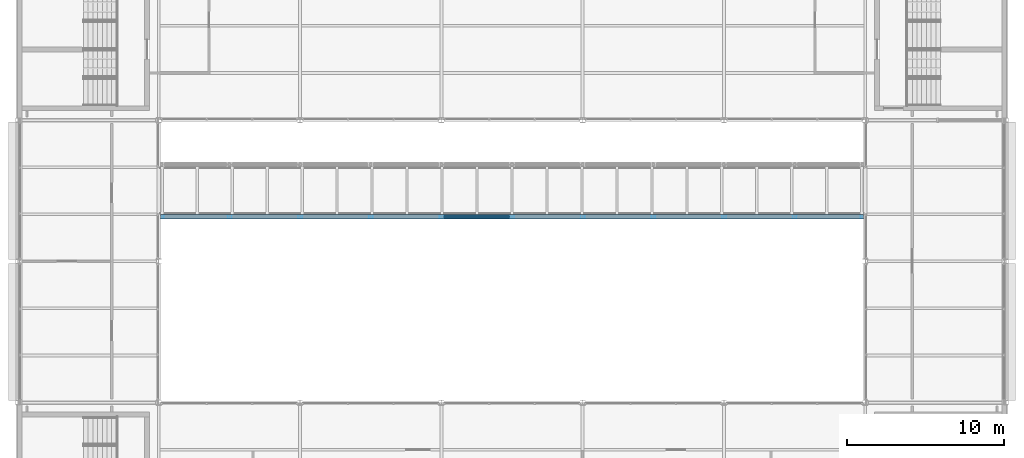
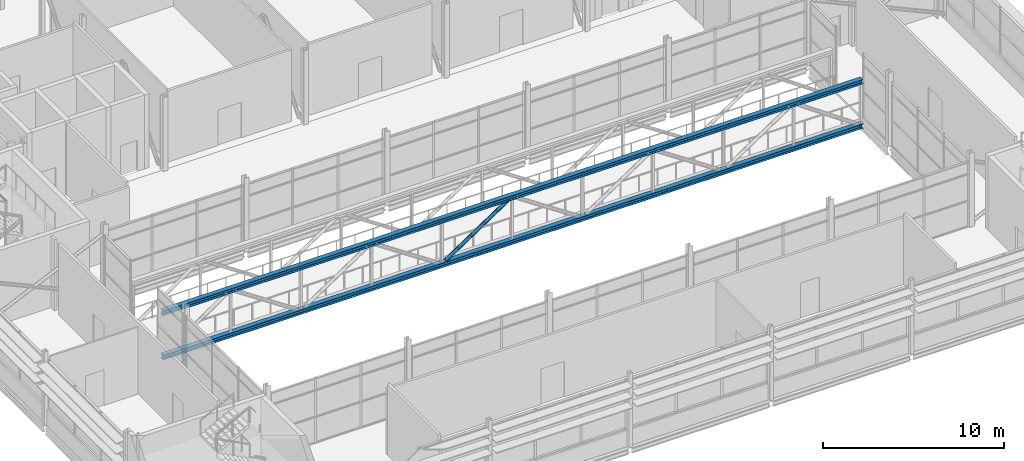
# One storey, part 26 of 94: 2 beams, 1 member.
"""IFC4 building model written with IfcOpenShell, lengths in metres."""

from ifc_helpers import new_model, si_unit, direction, frame, origin, origin_2d, place, context, subcontext, project, spatial, hollow_circle, i_section, extrude, material, material_profile, profile_set, type_object, element, save


model = new_model("IFC4")

# Units and contexts
model_context = context("Model", 3, precision=1e-05, world=origin(), true_north=direction((0.0, 1.0)))
body_context = subcontext(model_context, "Body", "Model", "MODEL_VIEW")
ifc_project = project(units=[si_unit("LENGTHUNIT", "METRE"), si_unit("AREAUNIT", "SQUARE_METRE"), si_unit("VOLUMEUNIT", "CUBIC_METRE"), si_unit("PLANEANGLEUNIT", "RADIAN"), si_unit("MASSUNIT", "GRAM", prefix="KILO")], contexts=[model_context])

# Site, building, storey
site_placement = place(None, origin())
site = spatial("IfcSite", under=ifc_project, at=site_placement, CompositionType="ELEMENT")
building_placement = place(site_placement, origin())
building = spatial("IfcBuilding", under=site, at=building_placement, Name="Shorebreak Coast Museum", CompositionType="ELEMENT")
storey_placement = place(building_placement, frame((0.0, 0.0, 31.0)))
storey = spatial("IfcBuildingStorey", under=building, at=storey_placement, Name="L05", CompositionType="ELEMENT", Elevation=31.0)

# Beams
ifc_material_1 = material(Name="Steel Grade 300", Category="steel")
ifc_material_profile_1 = material_profile(ifc_material_1, i_section(OverallWidth=0.304931640625, OverallDepth=0.30810546875, WebThickness=0.010009765625, FlangeThickness=0.015380859375, FilletRadius=0.0166015625, at=origin_2d()), Name="310UC96.8")
ifc_profile_set_1 = profile_set([ifc_material_profile_1], Name="Steel Grade 300")
beam_type = type_object("IfcBeamType", Name="Atrium bridge truss chord 310UC96.8", PredefinedType="BEAM", material=ifc_profile_set_1)
for number, where, z_axis, x_axis, name in (
    (1, (63.114501953125, 74.83740234375, -0.3291015625), (1.0, 0.0, 0.0), (0.0, 1.0, 0.0), "Atrium bridge truss BR3 side A chord C01"),
    (2, (63.114501953125, 74.83740234375, 2.6708984375), (1.0, 0.0, 0.0), (0.0, 1.0, 0.0), "Atrium bridge truss BR3 side A chord C02"),
):
    element("IfcBeam", number, at=place(storey_placement, frame(where, z_axis=z_axis, x_axis=x_axis)), inside=storey, type_object=beam_type, Name=name, PredefinedType="BEAM", context=body_context, shape_type="SweptSolid", body=[
        extrude(i_section(OverallWidth=0.304931640625, OverallDepth=0.30810546875, WebThickness=0.010009765625, FlangeThickness=0.015380859375, FilletRadius=0.0166015625, at=origin_2d()), origin(), (0.0, 0.0, 1.0), 44.77099609375),
    ])

# Member
ifc_material_2 = material(Name="Steel Grade C350L0", Category="steel")
ifc_material_profile_2 = material_profile(ifc_material_2, hollow_circle(Radius=0.109619140625, WallThickness=0.00830078125, at=origin_2d()), Name="219.1x8.2 CHS")
ifc_profile_set_2 = profile_set([ifc_material_profile_2], Name="Steel Grade C350L0")
member_type = type_object("IfcMemberType", Name="Atrium bridge truss diagonal 219.1x8.2 CHS", PredefinedType="BRACE", material=ifc_profile_set_2)
member_placement = place(storey_placement, frame((81.23095703125, 74.83740234375, -0.175048828125), z_axis=(0.832042555046, 0.0, 0.554711804987), x_axis=(0.0, 1.0, 0.0)))
element("IfcMember", 3, at=member_placement, inside=storey, type_object=member_type, Name="Atrium bridge truss BR3 side A diagonal D05", PredefinedType="BRACE", context=body_context, shape_type="SweptSolid", body=[
    extrude(hollow_circle(Radius=0.109619140625, WallThickness=0.00830078125, at=origin_2d()), origin(), (0.0, 0.0, 1.0), 4.853271484375),
])

save(model, "model.ifc")
